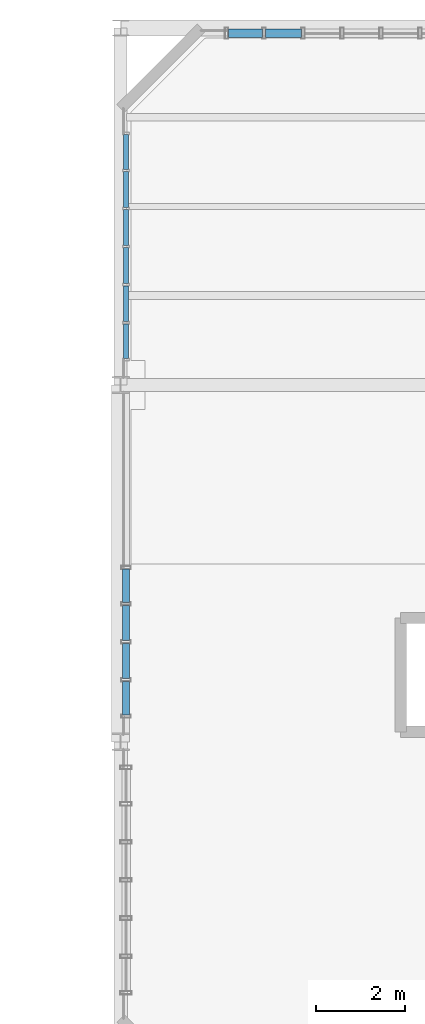
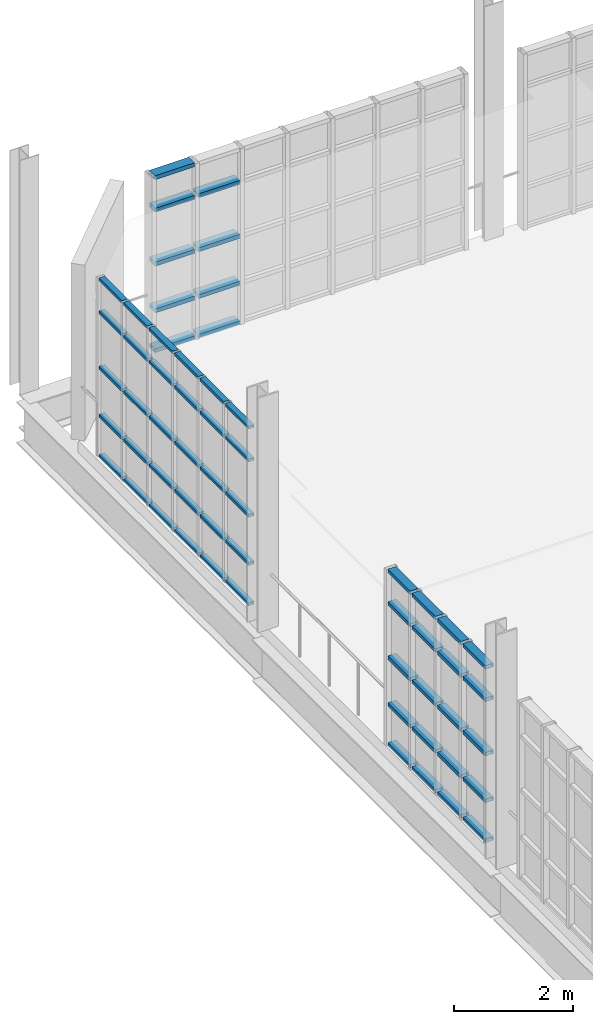
# One storey, part 63 of 85: 59 members, 3 elements without a shape of their own.
"""IFC4 building model written with IfcOpenShell, lengths in metres."""

from ifc_helpers import new_model, si_unit, direction, frame, origin, origin_2d, place, context, subcontext, project, spatial, hollow_rectangle, extrude, material, layer, layer_set, material_profile, profile_set, type_object, element, aggregate, save


model = new_model("IFC4")

# Units and contexts
model_context = context("Model", 3, precision=1e-05, world=origin(), true_north=direction((0.0, 1.0)))
body_context = subcontext(model_context, "Body", "Model", "MODEL_VIEW")
ifc_project = project(units=[si_unit("LENGTHUNIT", "METRE"), si_unit("AREAUNIT", "SQUARE_METRE"), si_unit("VOLUMEUNIT", "CUBIC_METRE"), si_unit("PLANEANGLEUNIT", "RADIAN"), si_unit("MASSUNIT", "GRAM", prefix="KILO"), si_unit("THERMODYNAMICTEMPERATUREUNIT", "KELVIN"), si_unit("POWERUNIT", "WATT")], contexts=[model_context])

# Site, building, storey
site_placement = place(None, origin())
site = spatial("IfcSite", under=ifc_project, at=site_placement, CompositionType="ELEMENT")
building_placement = place(site_placement, origin())
building = spatial("IfcBuilding", under=site, at=building_placement, Name="Zelmaris Science Centre", CompositionType="ELEMENT")
storey_placement = place(building_placement, frame((0.0, 0.0, 20.39990234375)))
storey = spatial("IfcBuildingStorey", under=building, at=storey_placement, Name="L04", CompositionType="ELEMENT", Elevation=20.39990234375)

# Curtain wall, members
ifc_material = material(Name="Anodised architectural aluminium 6063-T6", Category="aluminium")
ifc_layer_1 = layer(ifc_material, 0.219970703125, Name="Anodised architectural aluminium 6063-T6")
ifc_layer_set_1 = layer_set([ifc_layer_1], Name="Anodised architectural aluminium 6063-T6")
curtain_wall_type_1 = type_object("IfcCurtainWallType", Name="Curtain Wall CW-04", PredefinedType="USERDEFINED", material=ifc_layer_set_1)
curtain_wall_1_placement = place(storey_placement, origin())
curtain_wall_1 = element("IfcCurtainWall", 1, at=curtain_wall_1_placement, inside=storey, type_object=curtain_wall_type_1, Name="L04 Unitised curtain wall 340", ObjectType="GLAZED CURTAIN WALL", PredefinedType="USERDEFINED")
ifc_material_profile_1 = material_profile(ifc_material, hollow_rectangle(XDim=0.06005859375, YDim=0.110107421875, WallThickness=0.0029296875, at=origin_2d()), Name="ALU-TRN-60X110")
ifc_profile_set_1 = profile_set([ifc_material_profile_1], Name="Anodised architectural aluminium 6063-T6")
member_type_1 = type_object("IfcMemberType", Name="ALU-TRN-60X110", PredefinedType="USERDEFINED", material=ifc_profile_set_1)
member_1_placement = place(storey_placement, frame((54.1201171875, 80.592041015625, 0.010986328125), z_axis=(0.0, 1.0, 0.0), x_axis=(0.0, 0.0, 1.0)))
member_1 = element("IfcMember", 2, at=member_1_placement, type_object=member_type_1, Name="CW-04 transom 1.1", ObjectType="TRANSOM", PredefinedType="USERDEFINED", context=body_context, shape_type="SweptSolid", body=[
    extrude(hollow_rectangle(XDim=0.06005859375, YDim=0.110107421875, WallThickness=0.0029296875, at=origin_2d()), origin(), (0.0, 0.0, 1.0), 0.775390625),
])
member_2_placement = place(storey_placement, frame((54.1201171875, 80.592041015625, 0.835205078125), z_axis=(0.0, 1.0, 0.0), x_axis=(0.0, 0.0, 1.0)))
member_2 = element("IfcMember", 3, at=member_2_placement, type_object=member_type_1, Name="CW-04 transom 1.2", ObjectType="TRANSOM", PredefinedType="USERDEFINED", context=body_context, shape_type="SweptSolid", body=[
    extrude(hollow_rectangle(XDim=0.06005859375, YDim=0.110107421875, WallThickness=0.0029296875, at=origin_2d()), origin(), (0.0, 0.0, 1.0), 0.775390625),
])
member_3_placement = place(storey_placement, frame((54.1201171875, 80.592041015625, 1.819580078125), z_axis=(0.0, 1.0, 0.0), x_axis=(0.0, 0.0, 1.0)))
member_3 = element("IfcMember", 4, at=member_3_placement, type_object=member_type_1, Name="CW-04 transom 1.3", ObjectType="TRANSOM", PredefinedType="USERDEFINED", context=body_context, shape_type="SweptSolid", body=[
    extrude(hollow_rectangle(XDim=0.06005859375, YDim=0.110107421875, WallThickness=0.0029296875, at=origin_2d()), origin(), (0.0, 0.0, 1.0), 0.775390625),
])
member_4_placement = place(storey_placement, frame((54.1201171875, 80.592041015625, 2.9541015625), z_axis=(0.0, 1.0, 0.0), x_axis=(0.0, 0.0, 1.0)))
member_4 = element("IfcMember", 5, at=member_4_placement, type_object=member_type_1, Name="CW-04 transom 1.4", ObjectType="TRANSOM", PredefinedType="USERDEFINED", context=body_context, shape_type="SweptSolid", body=[
    extrude(hollow_rectangle(XDim=0.06005859375, YDim=0.110107421875, WallThickness=0.0029296875, at=origin_2d()), origin(), (0.0, 0.0, 1.0), 0.775390625),
])
member_5_placement = place(storey_placement, frame((54.1201171875, 80.592041015625, 3.628173828125), z_axis=(0.0, 1.0, 0.0), x_axis=(0.0, 0.0, 1.0)))
member_5 = element("IfcMember", 6, at=member_5_placement, type_object=member_type_1, Name="CW-04 transom 1.5", ObjectType="TRANSOM", PredefinedType="USERDEFINED", context=body_context, shape_type="SweptSolid", body=[
    extrude(hollow_rectangle(XDim=0.06005859375, YDim=0.110107421875, WallThickness=0.0029296875, at=origin_2d()), origin(), (0.0, 0.0, 1.0), 0.775390625),
])
member_6_placement = place(storey_placement, frame((54.1201171875, 81.41943359375, 0.010986328125), z_axis=(0.0, 1.0, 0.0), x_axis=(0.0, 0.0, 1.0)))
member_6 = element("IfcMember", 7, at=member_6_placement, type_object=member_type_1, Name="CW-04 transom 2.1", ObjectType="TRANSOM", PredefinedType="USERDEFINED", context=body_context, shape_type="SweptSolid", body=[
    extrude(hollow_rectangle(XDim=0.06005859375, YDim=0.110107421875, WallThickness=0.0029296875, at=origin_2d()), origin(), (0.0, 0.0, 1.0), 0.80126953125),
])
member_7_placement = place(storey_placement, frame((54.1201171875, 81.41943359375, 0.835205078125), z_axis=(0.0, 1.0, 0.0), x_axis=(0.0, 0.0, 1.0)))
member_7 = element("IfcMember", 8, at=member_7_placement, type_object=member_type_1, Name="CW-04 transom 2.2", ObjectType="TRANSOM", PredefinedType="USERDEFINED", context=body_context, shape_type="SweptSolid", body=[
    extrude(hollow_rectangle(XDim=0.06005859375, YDim=0.110107421875, WallThickness=0.0029296875, at=origin_2d()), origin(), (0.0, 0.0, 1.0), 0.80126953125),
])
member_8_placement = place(storey_placement, frame((54.1201171875, 81.41943359375, 1.819580078125), z_axis=(0.0, 1.0, 0.0), x_axis=(0.0, 0.0, 1.0)))
member_8 = element("IfcMember", 9, at=member_8_placement, type_object=member_type_1, Name="CW-04 transom 2.3", ObjectType="TRANSOM", PredefinedType="USERDEFINED", context=body_context, shape_type="SweptSolid", body=[
    extrude(hollow_rectangle(XDim=0.06005859375, YDim=0.110107421875, WallThickness=0.0029296875, at=origin_2d()), origin(), (0.0, 0.0, 1.0), 0.80126953125),
])
member_9_placement = place(storey_placement, frame((54.1201171875, 81.41943359375, 2.9541015625), z_axis=(0.0, 1.0, 0.0), x_axis=(0.0, 0.0, 1.0)))
member_9 = element("IfcMember", 10, at=member_9_placement, type_object=member_type_1, Name="CW-04 transom 2.4", ObjectType="TRANSOM", PredefinedType="USERDEFINED", context=body_context, shape_type="SweptSolid", body=[
    extrude(hollow_rectangle(XDim=0.06005859375, YDim=0.110107421875, WallThickness=0.0029296875, at=origin_2d()), origin(), (0.0, 0.0, 1.0), 0.80126953125),
])
member_10_placement = place(storey_placement, frame((54.1201171875, 81.41943359375, 3.628173828125), z_axis=(0.0, 1.0, 0.0), x_axis=(0.0, 0.0, 1.0)))
member_10 = element("IfcMember", 11, at=member_10_placement, type_object=member_type_1, Name="CW-04 transom 2.5", ObjectType="TRANSOM", PredefinedType="USERDEFINED", context=body_context, shape_type="SweptSolid", body=[
    extrude(hollow_rectangle(XDim=0.06005859375, YDim=0.110107421875, WallThickness=0.0029296875, at=origin_2d()), origin(), (0.0, 0.0, 1.0), 0.80126953125),
])
member_11_placement = place(storey_placement, frame((54.1201171875, 82.272705078125, 0.010986328125), z_axis=(0.0, 1.0, 0.0), x_axis=(0.0, 0.0, 1.0)))
member_11 = element("IfcMember", 12, at=member_11_placement, type_object=member_type_1, Name="CW-04 transom 3.1", ObjectType="TRANSOM", PredefinedType="USERDEFINED", context=body_context, shape_type="SweptSolid", body=[
    extrude(hollow_rectangle(XDim=0.06005859375, YDim=0.110107421875, WallThickness=0.0029296875, at=origin_2d()), origin(), (0.0, 0.0, 1.0), 0.80126953125),
])
member_12_placement = place(storey_placement, frame((54.1201171875, 82.272705078125, 0.835205078125), z_axis=(0.0, 1.0, 0.0), x_axis=(0.0, 0.0, 1.0)))
member_12 = element("IfcMember", 13, at=member_12_placement, type_object=member_type_1, Name="CW-04 transom 3.2", ObjectType="TRANSOM", PredefinedType="USERDEFINED", context=body_context, shape_type="SweptSolid", body=[
    extrude(hollow_rectangle(XDim=0.06005859375, YDim=0.110107421875, WallThickness=0.0029296875, at=origin_2d()), origin(), (0.0, 0.0, 1.0), 0.80126953125),
])
member_13_placement = place(storey_placement, frame((54.1201171875, 82.272705078125, 1.819580078125), z_axis=(0.0, 1.0, 0.0), x_axis=(0.0, 0.0, 1.0)))
member_13 = element("IfcMember", 14, at=member_13_placement, type_object=member_type_1, Name="CW-04 transom 3.3", ObjectType="TRANSOM", PredefinedType="USERDEFINED", context=body_context, shape_type="SweptSolid", body=[
    extrude(hollow_rectangle(XDim=0.06005859375, YDim=0.110107421875, WallThickness=0.0029296875, at=origin_2d()), origin(), (0.0, 0.0, 1.0), 0.80126953125),
])
member_14_placement = place(storey_placement, frame((54.1201171875, 82.272705078125, 2.9541015625), z_axis=(0.0, 1.0, 0.0), x_axis=(0.0, 0.0, 1.0)))
member_14 = element("IfcMember", 15, at=member_14_placement, type_object=member_type_1, Name="CW-04 transom 3.4", ObjectType="TRANSOM", PredefinedType="USERDEFINED", context=body_context, shape_type="SweptSolid", body=[
    extrude(hollow_rectangle(XDim=0.06005859375, YDim=0.110107421875, WallThickness=0.0029296875, at=origin_2d()), origin(), (0.0, 0.0, 1.0), 0.80126953125),
])
member_15_placement = place(storey_placement, frame((54.1201171875, 82.272705078125, 3.628173828125), z_axis=(0.0, 1.0, 0.0), x_axis=(0.0, 0.0, 1.0)))
member_15 = element("IfcMember", 16, at=member_15_placement, type_object=member_type_1, Name="CW-04 transom 3.5", ObjectType="TRANSOM", PredefinedType="USERDEFINED", context=body_context, shape_type="SweptSolid", body=[
    extrude(hollow_rectangle(XDim=0.06005859375, YDim=0.110107421875, WallThickness=0.0029296875, at=origin_2d()), origin(), (0.0, 0.0, 1.0), 0.80126953125),
])
member_16_placement = place(storey_placement, frame((54.1201171875, 83.1259765625, 0.010986328125), z_axis=(0.0, 1.0, 0.0), x_axis=(0.0, 0.0, 1.0)))
member_16 = element("IfcMember", 17, at=member_16_placement, type_object=member_type_1, Name="CW-04 transom 4.1", ObjectType="TRANSOM", PredefinedType="USERDEFINED", context=body_context, shape_type="SweptSolid", body=[
    extrude(hollow_rectangle(XDim=0.06005859375, YDim=0.110107421875, WallThickness=0.0029296875, at=origin_2d()), origin(), (0.0, 0.0, 1.0), 0.80126953125),
])
member_17_placement = place(storey_placement, frame((54.1201171875, 83.1259765625, 0.835205078125), z_axis=(0.0, 1.0, 0.0), x_axis=(0.0, 0.0, 1.0)))
member_17 = element("IfcMember", 18, at=member_17_placement, type_object=member_type_1, Name="CW-04 transom 4.2", ObjectType="TRANSOM", PredefinedType="USERDEFINED", context=body_context, shape_type="SweptSolid", body=[
    extrude(hollow_rectangle(XDim=0.06005859375, YDim=0.110107421875, WallThickness=0.0029296875, at=origin_2d()), origin(), (0.0, 0.0, 1.0), 0.80126953125),
])
member_18_placement = place(storey_placement, frame((54.1201171875, 83.1259765625, 1.819580078125), z_axis=(0.0, 1.0, 0.0), x_axis=(0.0, 0.0, 1.0)))
member_18 = element("IfcMember", 19, at=member_18_placement, type_object=member_type_1, Name="CW-04 transom 4.3", ObjectType="TRANSOM", PredefinedType="USERDEFINED", context=body_context, shape_type="SweptSolid", body=[
    extrude(hollow_rectangle(XDim=0.06005859375, YDim=0.110107421875, WallThickness=0.0029296875, at=origin_2d()), origin(), (0.0, 0.0, 1.0), 0.80126953125),
])
member_19_placement = place(storey_placement, frame((54.1201171875, 83.1259765625, 2.9541015625), z_axis=(0.0, 1.0, 0.0), x_axis=(0.0, 0.0, 1.0)))
member_19 = element("IfcMember", 20, at=member_19_placement, type_object=member_type_1, Name="CW-04 transom 4.4", ObjectType="TRANSOM", PredefinedType="USERDEFINED", context=body_context, shape_type="SweptSolid", body=[
    extrude(hollow_rectangle(XDim=0.06005859375, YDim=0.110107421875, WallThickness=0.0029296875, at=origin_2d()), origin(), (0.0, 0.0, 1.0), 0.80126953125),
])
member_20_placement = place(storey_placement, frame((54.1201171875, 83.1259765625, 3.628173828125), z_axis=(0.0, 1.0, 0.0), x_axis=(0.0, 0.0, 1.0)))
member_20 = element("IfcMember", 21, at=member_20_placement, type_object=member_type_1, Name="CW-04 transom 4.5", ObjectType="TRANSOM", PredefinedType="USERDEFINED", context=body_context, shape_type="SweptSolid", body=[
    extrude(hollow_rectangle(XDim=0.06005859375, YDim=0.110107421875, WallThickness=0.0029296875, at=origin_2d()), origin(), (0.0, 0.0, 1.0), 0.80126953125),
])
member_21_placement = place(storey_placement, frame((54.1201171875, 83.979248046875, 0.010986328125), z_axis=(0.0, 1.0, 0.0), x_axis=(0.0, 0.0, 1.0)))
member_21 = element("IfcMember", 22, at=member_21_placement, type_object=member_type_1, Name="CW-04 transom 5.1", ObjectType="TRANSOM", PredefinedType="USERDEFINED", context=body_context, shape_type="SweptSolid", body=[
    extrude(hollow_rectangle(XDim=0.06005859375, YDim=0.110107421875, WallThickness=0.0029296875, at=origin_2d()), origin(), (0.0, 0.0, 1.0), 0.801513671875),
])
member_22_placement = place(storey_placement, frame((54.1201171875, 83.979248046875, 0.835205078125), z_axis=(0.0, 1.0, 0.0), x_axis=(0.0, 0.0, 1.0)))
member_22 = element("IfcMember", 23, at=member_22_placement, type_object=member_type_1, Name="CW-04 transom 5.2", ObjectType="TRANSOM", PredefinedType="USERDEFINED", context=body_context, shape_type="SweptSolid", body=[
    extrude(hollow_rectangle(XDim=0.06005859375, YDim=0.110107421875, WallThickness=0.0029296875, at=origin_2d()), origin(), (0.0, 0.0, 1.0), 0.801513671875),
])
member_23_placement = place(storey_placement, frame((54.1201171875, 83.979248046875, 1.819580078125), z_axis=(0.0, 1.0, 0.0), x_axis=(0.0, 0.0, 1.0)))
member_23 = element("IfcMember", 24, at=member_23_placement, type_object=member_type_1, Name="CW-04 transom 5.3", ObjectType="TRANSOM", PredefinedType="USERDEFINED", context=body_context, shape_type="SweptSolid", body=[
    extrude(hollow_rectangle(XDim=0.06005859375, YDim=0.110107421875, WallThickness=0.0029296875, at=origin_2d()), origin(), (0.0, 0.0, 1.0), 0.801513671875),
])
member_24_placement = place(storey_placement, frame((54.1201171875, 83.979248046875, 2.9541015625), z_axis=(0.0, 1.0, 0.0), x_axis=(0.0, 0.0, 1.0)))
member_24 = element("IfcMember", 25, at=member_24_placement, type_object=member_type_1, Name="CW-04 transom 5.4", ObjectType="TRANSOM", PredefinedType="USERDEFINED", context=body_context, shape_type="SweptSolid", body=[
    extrude(hollow_rectangle(XDim=0.06005859375, YDim=0.110107421875, WallThickness=0.0029296875, at=origin_2d()), origin(), (0.0, 0.0, 1.0), 0.801513671875),
])
member_25_placement = place(storey_placement, frame((54.1201171875, 83.979248046875, 3.628173828125), z_axis=(0.0, 1.0, 0.0), x_axis=(0.0, 0.0, 1.0)))
member_25 = element("IfcMember", 26, at=member_25_placement, type_object=member_type_1, Name="CW-04 transom 5.5", ObjectType="TRANSOM", PredefinedType="USERDEFINED", context=body_context, shape_type="SweptSolid", body=[
    extrude(hollow_rectangle(XDim=0.06005859375, YDim=0.110107421875, WallThickness=0.0029296875, at=origin_2d()), origin(), (0.0, 0.0, 1.0), 0.801513671875),
])
member_26_placement = place(storey_placement, frame((54.1201171875, 84.832763671875, 0.010986328125), z_axis=(0.0, 1.0, 0.0), x_axis=(0.0, 0.0, 1.0)))
member_26 = element("IfcMember", 27, at=member_26_placement, type_object=member_type_1, Name="CW-04 transom 6.1", ObjectType="TRANSOM", PredefinedType="USERDEFINED", context=body_context, shape_type="SweptSolid", body=[
    extrude(hollow_rectangle(XDim=0.06005859375, YDim=0.110107421875, WallThickness=0.0029296875, at=origin_2d()), origin(), (0.0, 0.0, 1.0), 0.775146484375),
])
member_27_placement = place(storey_placement, frame((54.1201171875, 84.832763671875, 0.835205078125), z_axis=(0.0, 1.0, 0.0), x_axis=(0.0, 0.0, 1.0)))
member_27 = element("IfcMember", 28, at=member_27_placement, type_object=member_type_1, Name="CW-04 transom 6.2", ObjectType="TRANSOM", PredefinedType="USERDEFINED", context=body_context, shape_type="SweptSolid", body=[
    extrude(hollow_rectangle(XDim=0.06005859375, YDim=0.110107421875, WallThickness=0.0029296875, at=origin_2d()), origin(), (0.0, 0.0, 1.0), 0.775146484375),
])
member_28_placement = place(storey_placement, frame((54.1201171875, 84.832763671875, 1.819580078125), z_axis=(0.0, 1.0, 0.0), x_axis=(0.0, 0.0, 1.0)))
member_28 = element("IfcMember", 29, at=member_28_placement, type_object=member_type_1, Name="CW-04 transom 6.3", ObjectType="TRANSOM", PredefinedType="USERDEFINED", context=body_context, shape_type="SweptSolid", body=[
    extrude(hollow_rectangle(XDim=0.06005859375, YDim=0.110107421875, WallThickness=0.0029296875, at=origin_2d()), origin(), (0.0, 0.0, 1.0), 0.775146484375),
])
member_29_placement = place(storey_placement, frame((54.1201171875, 84.832763671875, 2.9541015625), z_axis=(0.0, 1.0, 0.0), x_axis=(0.0, 0.0, 1.0)))
member_29 = element("IfcMember", 30, at=member_29_placement, type_object=member_type_1, Name="CW-04 transom 6.4", ObjectType="TRANSOM", PredefinedType="USERDEFINED", context=body_context, shape_type="SweptSolid", body=[
    extrude(hollow_rectangle(XDim=0.06005859375, YDim=0.110107421875, WallThickness=0.0029296875, at=origin_2d()), origin(), (0.0, 0.0, 1.0), 0.775146484375),
])
member_30_placement = place(storey_placement, frame((54.1201171875, 84.832763671875, 3.628173828125), z_axis=(0.0, 1.0, 0.0), x_axis=(0.0, 0.0, 1.0)))
member_30 = element("IfcMember", 31, at=member_30_placement, type_object=member_type_1, Name="CW-04 transom 6.5", ObjectType="TRANSOM", PredefinedType="USERDEFINED", context=body_context, shape_type="SweptSolid", body=[
    extrude(hollow_rectangle(XDim=0.06005859375, YDim=0.110107421875, WallThickness=0.0029296875, at=origin_2d()), origin(), (0.0, 0.0, 1.0), 0.775146484375),
])
aggregate(curtain_wall_1, [member_1, member_2, member_3, member_4, member_5, member_6, member_7, member_8, member_9, member_10, member_11, member_12, member_13, member_14, member_15, member_16, member_17, member_18, member_19, member_20, member_21, member_22, member_23, member_24, member_25, member_26, member_27, member_28, member_29, member_30])

ifc_layer_2 = layer(ifc_material, 0.199951171875, Name="Anodised architectural aluminium 6063-T6")
ifc_layer_set_2 = layer_set([ifc_layer_2], Name="Anodised architectural aluminium 6063-T6")
curtain_wall_type_2 = type_object("IfcCurtainWallType", Name="Curtain Wall CW-02", PredefinedType="USERDEFINED", material=ifc_layer_set_2)
curtain_wall_2_placement = place(storey_placement, origin())
curtain_wall_2 = element("IfcCurtainWall", 32, at=curtain_wall_2_placement, inside=storey, type_object=curtain_wall_type_2, Name="L04 Unitised curtain wall 338", ObjectType="GLAZED CURTAIN WALL", PredefinedType="USERDEFINED")
ifc_material_profile_2 = material_profile(ifc_material, hollow_rectangle(XDim=0.074951171875, YDim=0.159912109375, WallThickness=0.00390625, at=origin_2d()), Name="ALU-TRN-75X160")
ifc_profile_set_2 = profile_set([ifc_material_profile_2], Name="Anodised architectural aluminium 6063-T6")
member_type_2 = type_object("IfcMemberType", Name="ALU-TRN-75X160", PredefinedType="USERDEFINED", material=ifc_profile_set_2)
member_31_placement = place(storey_placement, frame((54.1201171875, 72.60693359375, 0.0185546875), z_axis=(0.0, 1.0, 0.0), x_axis=(0.0, 0.0, 1.0)))
member_31 = element("IfcMember", 33, at=member_31_placement, type_object=member_type_2, Name="CW-02 transom 1.1", ObjectType="TRANSOM", PredefinedType="USERDEFINED", context=body_context, shape_type="SweptSolid", body=[
    extrude(hollow_rectangle(XDim=0.074951171875, YDim=0.159912109375, WallThickness=0.00390625, at=origin_2d()), origin(), (0.0, 0.0, 1.0), 0.74951171875),
])
member_32_placement = place(storey_placement, frame((54.1201171875, 72.60693359375, 0.835205078125), z_axis=(0.0, 1.0, 0.0), x_axis=(0.0, 0.0, 1.0)))
member_32 = element("IfcMember", 34, at=member_32_placement, type_object=member_type_2, Name="CW-02 transom 1.2", ObjectType="TRANSOM", PredefinedType="USERDEFINED", context=body_context, shape_type="SweptSolid", body=[
    extrude(hollow_rectangle(XDim=0.074951171875, YDim=0.159912109375, WallThickness=0.00390625, at=origin_2d()), origin(), (0.0, 0.0, 1.0), 0.74951171875),
])
member_33_placement = place(storey_placement, frame((54.1201171875, 72.60693359375, 1.794189453125), z_axis=(0.0, 1.0, 0.0), x_axis=(0.0, 0.0, 1.0)))
member_33 = element("IfcMember", 35, at=member_33_placement, type_object=member_type_2, Name="CW-02 transom 1.3", ObjectType="TRANSOM", PredefinedType="USERDEFINED", context=body_context, shape_type="SweptSolid", body=[
    extrude(hollow_rectangle(XDim=0.074951171875, YDim=0.159912109375, WallThickness=0.00390625, at=origin_2d()), origin(), (0.0, 0.0, 1.0), 0.74951171875),
])
member_34_placement = place(storey_placement, frame((54.1201171875, 72.60693359375, 2.903076171875), z_axis=(0.0, 1.0, 0.0), x_axis=(0.0, 0.0, 1.0)))
member_34 = element("IfcMember", 36, at=member_34_placement, type_object=member_type_2, Name="CW-02 transom 1.4", ObjectType="TRANSOM", PredefinedType="USERDEFINED", context=body_context, shape_type="SweptSolid", body=[
    extrude(hollow_rectangle(XDim=0.074951171875, YDim=0.159912109375, WallThickness=0.00390625, at=origin_2d()), origin(), (0.0, 0.0, 1.0), 0.74951171875),
])
member_35_placement = place(storey_placement, frame((54.1201171875, 72.60693359375, 3.569580078125), z_axis=(0.0, 1.0, 0.0), x_axis=(0.0, 0.0, 1.0)))
member_35 = element("IfcMember", 37, at=member_35_placement, type_object=member_type_2, Name="CW-02 transom 1.5", ObjectType="TRANSOM", PredefinedType="USERDEFINED", context=body_context, shape_type="SweptSolid", body=[
    extrude(hollow_rectangle(XDim=0.074951171875, YDim=0.159912109375, WallThickness=0.00390625, at=origin_2d()), origin(), (0.0, 0.0, 1.0), 0.74951171875),
])
member_36_placement = place(storey_placement, frame((54.1201171875, 73.423583984375, 0.0185546875), z_axis=(0.0, 1.0, 0.0), x_axis=(0.0, 0.0, 1.0)))
member_36 = element("IfcMember", 38, at=member_36_placement, type_object=member_type_2, Name="CW-02 transom 2.1", ObjectType="TRANSOM", PredefinedType="USERDEFINED", context=body_context, shape_type="SweptSolid", body=[
    extrude(hollow_rectangle(XDim=0.074951171875, YDim=0.159912109375, WallThickness=0.00390625, at=origin_2d()), origin(), (0.0, 0.0, 1.0), 0.782958984375),
])
member_37_placement = place(storey_placement, frame((54.1201171875, 73.423583984375, 0.835205078125), z_axis=(0.0, 1.0, 0.0), x_axis=(0.0, 0.0, 1.0)))
member_37 = element("IfcMember", 39, at=member_37_placement, type_object=member_type_2, Name="CW-02 transom 2.2", ObjectType="TRANSOM", PredefinedType="USERDEFINED", context=body_context, shape_type="SweptSolid", body=[
    extrude(hollow_rectangle(XDim=0.074951171875, YDim=0.159912109375, WallThickness=0.00390625, at=origin_2d()), origin(), (0.0, 0.0, 1.0), 0.782958984375),
])
member_38_placement = place(storey_placement, frame((54.1201171875, 73.423583984375, 1.794189453125), z_axis=(0.0, 1.0, 0.0), x_axis=(0.0, 0.0, 1.0)))
member_38 = element("IfcMember", 40, at=member_38_placement, type_object=member_type_2, Name="CW-02 transom 2.3", ObjectType="TRANSOM", PredefinedType="USERDEFINED", context=body_context, shape_type="SweptSolid", body=[
    extrude(hollow_rectangle(XDim=0.074951171875, YDim=0.159912109375, WallThickness=0.00390625, at=origin_2d()), origin(), (0.0, 0.0, 1.0), 0.782958984375),
])
member_39_placement = place(storey_placement, frame((54.1201171875, 73.423583984375, 2.903076171875), z_axis=(0.0, 1.0, 0.0), x_axis=(0.0, 0.0, 1.0)))
member_39 = element("IfcMember", 41, at=member_39_placement, type_object=member_type_2, Name="CW-02 transom 2.4", ObjectType="TRANSOM", PredefinedType="USERDEFINED", context=body_context, shape_type="SweptSolid", body=[
    extrude(hollow_rectangle(XDim=0.074951171875, YDim=0.159912109375, WallThickness=0.00390625, at=origin_2d()), origin(), (0.0, 0.0, 1.0), 0.782958984375),
])
member_40_placement = place(storey_placement, frame((54.1201171875, 73.423583984375, 3.569580078125), z_axis=(0.0, 1.0, 0.0), x_axis=(0.0, 0.0, 1.0)))
member_40 = element("IfcMember", 42, at=member_40_placement, type_object=member_type_2, Name="CW-02 transom 2.5", ObjectType="TRANSOM", PredefinedType="USERDEFINED", context=body_context, shape_type="SweptSolid", body=[
    extrude(hollow_rectangle(XDim=0.074951171875, YDim=0.159912109375, WallThickness=0.00390625, at=origin_2d()), origin(), (0.0, 0.0, 1.0), 0.782958984375),
])
member_41_placement = place(storey_placement, frame((54.1201171875, 74.2734375, 0.0185546875), z_axis=(0.0, 1.0, 0.0), x_axis=(0.0, 0.0, 1.0)))
member_41 = element("IfcMember", 43, at=member_41_placement, type_object=member_type_2, Name="CW-02 transom 3.1", ObjectType="TRANSOM", PredefinedType="USERDEFINED", context=body_context, shape_type="SweptSolid", body=[
    extrude(hollow_rectangle(XDim=0.074951171875, YDim=0.159912109375, WallThickness=0.00390625, at=origin_2d()), origin(), (0.0, 0.0, 1.0), 0.782958984375),
])
member_42_placement = place(storey_placement, frame((54.1201171875, 74.2734375, 0.835205078125), z_axis=(0.0, 1.0, 0.0), x_axis=(0.0, 0.0, 1.0)))
member_42 = element("IfcMember", 44, at=member_42_placement, type_object=member_type_2, Name="CW-02 transom 3.2", ObjectType="TRANSOM", PredefinedType="USERDEFINED", context=body_context, shape_type="SweptSolid", body=[
    extrude(hollow_rectangle(XDim=0.074951171875, YDim=0.159912109375, WallThickness=0.00390625, at=origin_2d()), origin(), (0.0, 0.0, 1.0), 0.782958984375),
])
member_43_placement = place(storey_placement, frame((54.1201171875, 74.2734375, 1.794189453125), z_axis=(0.0, 1.0, 0.0), x_axis=(0.0, 0.0, 1.0)))
member_43 = element("IfcMember", 45, at=member_43_placement, type_object=member_type_2, Name="CW-02 transom 3.3", ObjectType="TRANSOM", PredefinedType="USERDEFINED", context=body_context, shape_type="SweptSolid", body=[
    extrude(hollow_rectangle(XDim=0.074951171875, YDim=0.159912109375, WallThickness=0.00390625, at=origin_2d()), origin(), (0.0, 0.0, 1.0), 0.782958984375),
])
member_44_placement = place(storey_placement, frame((54.1201171875, 74.2734375, 2.903076171875), z_axis=(0.0, 1.0, 0.0), x_axis=(0.0, 0.0, 1.0)))
member_44 = element("IfcMember", 46, at=member_44_placement, type_object=member_type_2, Name="CW-02 transom 3.4", ObjectType="TRANSOM", PredefinedType="USERDEFINED", context=body_context, shape_type="SweptSolid", body=[
    extrude(hollow_rectangle(XDim=0.074951171875, YDim=0.159912109375, WallThickness=0.00390625, at=origin_2d()), origin(), (0.0, 0.0, 1.0), 0.782958984375),
])
member_45_placement = place(storey_placement, frame((54.1201171875, 74.2734375, 3.569580078125), z_axis=(0.0, 1.0, 0.0), x_axis=(0.0, 0.0, 1.0)))
member_45 = element("IfcMember", 47, at=member_45_placement, type_object=member_type_2, Name="CW-02 transom 3.5", ObjectType="TRANSOM", PredefinedType="USERDEFINED", context=body_context, shape_type="SweptSolid", body=[
    extrude(hollow_rectangle(XDim=0.074951171875, YDim=0.159912109375, WallThickness=0.00390625, at=origin_2d()), origin(), (0.0, 0.0, 1.0), 0.782958984375),
])
member_46_placement = place(storey_placement, frame((54.1201171875, 75.12353515625, 0.0185546875), z_axis=(0.0, 1.0, 0.0), x_axis=(0.0, 0.0, 1.0)))
member_46 = element("IfcMember", 48, at=member_46_placement, type_object=member_type_2, Name="CW-02 transom 4.1", ObjectType="TRANSOM", PredefinedType="USERDEFINED", context=body_context, shape_type="SweptSolid", body=[
    extrude(hollow_rectangle(XDim=0.074951171875, YDim=0.159912109375, WallThickness=0.00390625, at=origin_2d()), origin(), (0.0, 0.0, 1.0), 0.74951171875),
])
member_47_placement = place(storey_placement, frame((54.1201171875, 75.12353515625, 0.835205078125), z_axis=(0.0, 1.0, 0.0), x_axis=(0.0, 0.0, 1.0)))
member_47 = element("IfcMember", 49, at=member_47_placement, type_object=member_type_2, Name="CW-02 transom 4.2", ObjectType="TRANSOM", PredefinedType="USERDEFINED", context=body_context, shape_type="SweptSolid", body=[
    extrude(hollow_rectangle(XDim=0.074951171875, YDim=0.159912109375, WallThickness=0.00390625, at=origin_2d()), origin(), (0.0, 0.0, 1.0), 0.74951171875),
])
member_48_placement = place(storey_placement, frame((54.1201171875, 75.12353515625, 1.794189453125), z_axis=(0.0, 1.0, 0.0), x_axis=(0.0, 0.0, 1.0)))
member_48 = element("IfcMember", 50, at=member_48_placement, type_object=member_type_2, Name="CW-02 transom 4.3", ObjectType="TRANSOM", PredefinedType="USERDEFINED", context=body_context, shape_type="SweptSolid", body=[
    extrude(hollow_rectangle(XDim=0.074951171875, YDim=0.159912109375, WallThickness=0.00390625, at=origin_2d()), origin(), (0.0, 0.0, 1.0), 0.74951171875),
])
member_49_placement = place(storey_placement, frame((54.1201171875, 75.12353515625, 2.903076171875), z_axis=(0.0, 1.0, 0.0), x_axis=(0.0, 0.0, 1.0)))
member_49 = element("IfcMember", 51, at=member_49_placement, type_object=member_type_2, Name="CW-02 transom 4.4", ObjectType="TRANSOM", PredefinedType="USERDEFINED", context=body_context, shape_type="SweptSolid", body=[
    extrude(hollow_rectangle(XDim=0.074951171875, YDim=0.159912109375, WallThickness=0.00390625, at=origin_2d()), origin(), (0.0, 0.0, 1.0), 0.74951171875),
])
member_50_placement = place(storey_placement, frame((54.1201171875, 75.12353515625, 3.569580078125), z_axis=(0.0, 1.0, 0.0), x_axis=(0.0, 0.0, 1.0)))
member_50 = element("IfcMember", 52, at=member_50_placement, type_object=member_type_2, Name="CW-02 transom 4.5", ObjectType="TRANSOM", PredefinedType="USERDEFINED", context=body_context, shape_type="SweptSolid", body=[
    extrude(hollow_rectangle(XDim=0.074951171875, YDim=0.159912109375, WallThickness=0.00390625, at=origin_2d()), origin(), (0.0, 0.0, 1.0), 0.74951171875),
])
aggregate(curtain_wall_2, [member_31, member_32, member_33, member_34, member_35, member_36, member_37, member_38, member_39, member_40, member_41, member_42, member_43, member_44, member_45, member_46, member_47, member_48, member_49, member_50])

ifc_layer_3 = layer(ifc_material, 0.18994140625, Name="Anodised architectural aluminium 6063-T6")
ifc_layer_set_3 = layer_set([ifc_layer_3], Name="Anodised architectural aluminium 6063-T6")
curtain_wall_type_3 = type_object("IfcCurtainWallType", Name="Curtain Wall CW-01", PredefinedType="USERDEFINED", material=ifc_layer_set_3)
curtain_wall_3_placement = place(storey_placement, origin())
curtain_wall_3 = element("IfcCurtainWall", 53, at=curtain_wall_3_placement, inside=storey, type_object=curtain_wall_type_3, Name="L04 Unitised curtain wall 341", ObjectType="GLAZED CURTAIN WALL", PredefinedType="USERDEFINED")
ifc_material_profile_3 = material_profile(ifc_material, hollow_rectangle(XDim=0.080078125, YDim=0.18994140625, WallThickness=0.00439453125, at=origin_2d()), Name="ALU-TRN-80X190")
ifc_profile_set_3 = profile_set([ifc_material_profile_3], Name="Anodised architectural aluminium 6063-T6")
member_type_3 = type_object("IfcMemberType", Name="ALU-TRN-80X190", PredefinedType="USERDEFINED", material=ifc_profile_set_3)
member_51_placement = place(storey_placement, frame((56.412109375, 87.8798828125, 0.02099609375), z_axis=(1.0, 0.0, 0.0), x_axis=(0.0, 0.0, 1.0)))
member_51 = element("IfcMember", 54, at=member_51_placement, type_object=member_type_3, Name="CW-01 transom 1.1", ObjectType="TRANSOM", PredefinedType="USERDEFINED", context=body_context, shape_type="SweptSolid", body=[
    extrude(hollow_rectangle(XDim=0.080078125, YDim=0.18994140625, WallThickness=0.00439453125, at=origin_2d()), origin(), (0.0, 0.0, 1.0), 0.76611328125),
])
member_52_placement = place(storey_placement, frame((56.412109375, 87.8798828125, 0.835205078125), z_axis=(1.0, 0.0, 0.0), x_axis=(0.0, 0.0, 1.0)))
member_52 = element("IfcMember", 55, at=member_52_placement, type_object=member_type_3, Name="CW-01 transom 1.2", ObjectType="TRANSOM", PredefinedType="USERDEFINED", context=body_context, shape_type="SweptSolid", body=[
    extrude(hollow_rectangle(XDim=0.080078125, YDim=0.18994140625, WallThickness=0.00439453125, at=origin_2d()), origin(), (0.0, 0.0, 1.0), 0.76611328125),
])
member_53_placement = place(storey_placement, frame((56.412109375, 87.8798828125, 1.793212890625), z_axis=(1.0, 0.0, 0.0), x_axis=(0.0, 0.0, 1.0)))
member_53 = element("IfcMember", 56, at=member_53_placement, type_object=member_type_3, Name="CW-01 transom 1.3", ObjectType="TRANSOM", PredefinedType="USERDEFINED", context=body_context, shape_type="SweptSolid", body=[
    extrude(hollow_rectangle(XDim=0.080078125, YDim=0.18994140625, WallThickness=0.00439453125, at=origin_2d()), origin(), (0.0, 0.0, 1.0), 0.76611328125),
])
member_54_placement = place(storey_placement, frame((56.412109375, 87.8798828125, 2.901123046875), z_axis=(1.0, 0.0, 0.0), x_axis=(0.0, 0.0, 1.0)))
member_54 = element("IfcMember", 57, at=member_54_placement, type_object=member_type_3, Name="CW-01 transom 1.4", ObjectType="TRANSOM", PredefinedType="USERDEFINED", context=body_context, shape_type="SweptSolid", body=[
    extrude(hollow_rectangle(XDim=0.080078125, YDim=0.18994140625, WallThickness=0.00439453125, at=origin_2d()), origin(), (0.0, 0.0, 1.0), 0.76611328125),
])
member_55_placement = place(storey_placement, frame((56.412109375, 87.8798828125, 3.565185546875), z_axis=(1.0, 0.0, 0.0), x_axis=(0.0, 0.0, 1.0)))
member_55 = element("IfcMember", 58, at=member_55_placement, type_object=member_type_3, Name="CW-01 transom 1.5", ObjectType="TRANSOM", PredefinedType="USERDEFINED", context=body_context, shape_type="SweptSolid", body=[
    extrude(hollow_rectangle(XDim=0.080078125, YDim=0.18994140625, WallThickness=0.00439453125, at=origin_2d()), origin(), (0.0, 0.0, 1.0), 0.76611328125),
])
member_56_placement = place(storey_placement, frame((57.250244140625, 87.8798828125, 0.02099609375), z_axis=(1.0, 0.0, 0.0), x_axis=(0.0, 0.0, 1.0)))
member_56 = element("IfcMember", 59, at=member_56_placement, type_object=member_type_3, Name="CW-01 transom 2.1", ObjectType="TRANSOM", PredefinedType="USERDEFINED", context=body_context, shape_type="SweptSolid", body=[
    extrude(hollow_rectangle(XDim=0.080078125, YDim=0.18994140625, WallThickness=0.00439453125, at=origin_2d()), origin(), (0.0, 0.0, 1.0), 0.80224609375),
])
member_57_placement = place(storey_placement, frame((57.250244140625, 87.8798828125, 0.835205078125), z_axis=(1.0, 0.0, 0.0), x_axis=(0.0, 0.0, 1.0)))
member_57 = element("IfcMember", 60, at=member_57_placement, type_object=member_type_3, Name="CW-01 transom 2.2", ObjectType="TRANSOM", PredefinedType="USERDEFINED", context=body_context, shape_type="SweptSolid", body=[
    extrude(hollow_rectangle(XDim=0.080078125, YDim=0.18994140625, WallThickness=0.00439453125, at=origin_2d()), origin(), (0.0, 0.0, 1.0), 0.80224609375),
])
member_58_placement = place(storey_placement, frame((57.250244140625, 87.8798828125, 1.793212890625), z_axis=(1.0, 0.0, 0.0), x_axis=(0.0, 0.0, 1.0)))
member_58 = element("IfcMember", 61, at=member_58_placement, type_object=member_type_3, Name="CW-01 transom 2.3", ObjectType="TRANSOM", PredefinedType="USERDEFINED", context=body_context, shape_type="SweptSolid", body=[
    extrude(hollow_rectangle(XDim=0.080078125, YDim=0.18994140625, WallThickness=0.00439453125, at=origin_2d()), origin(), (0.0, 0.0, 1.0), 0.80224609375),
])
member_59_placement = place(storey_placement, frame((57.250244140625, 87.8798828125, 2.901123046875), z_axis=(1.0, 0.0, 0.0), x_axis=(0.0, 0.0, 1.0)))
member_59 = element("IfcMember", 62, at=member_59_placement, type_object=member_type_3, Name="CW-01 transom 2.4", ObjectType="TRANSOM", PredefinedType="USERDEFINED", context=body_context, shape_type="SweptSolid", body=[
    extrude(hollow_rectangle(XDim=0.080078125, YDim=0.18994140625, WallThickness=0.00439453125, at=origin_2d()), origin(), (0.0, 0.0, 1.0), 0.80224609375),
])
aggregate(curtain_wall_3, [member_51, member_52, member_53, member_54, member_55, member_56, member_57, member_58, member_59])

save(model, "model.ifc")
